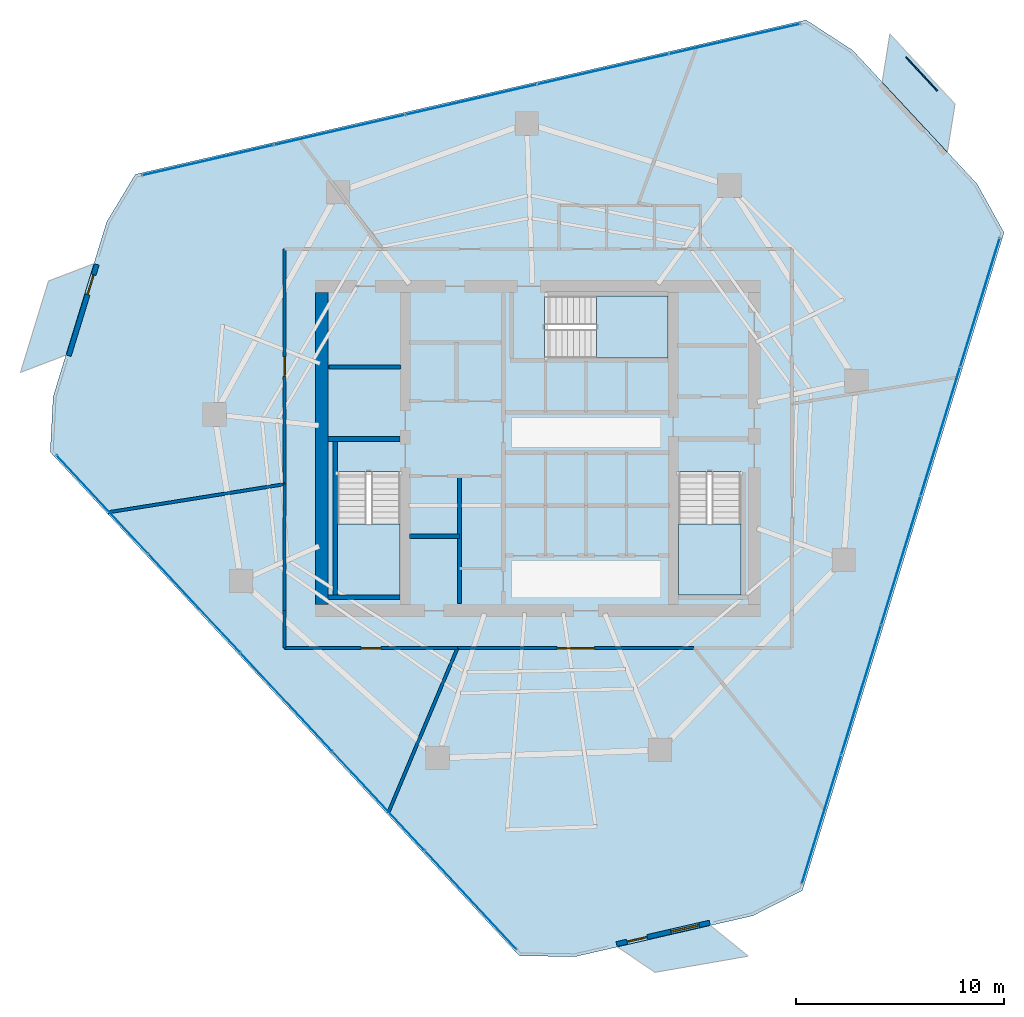
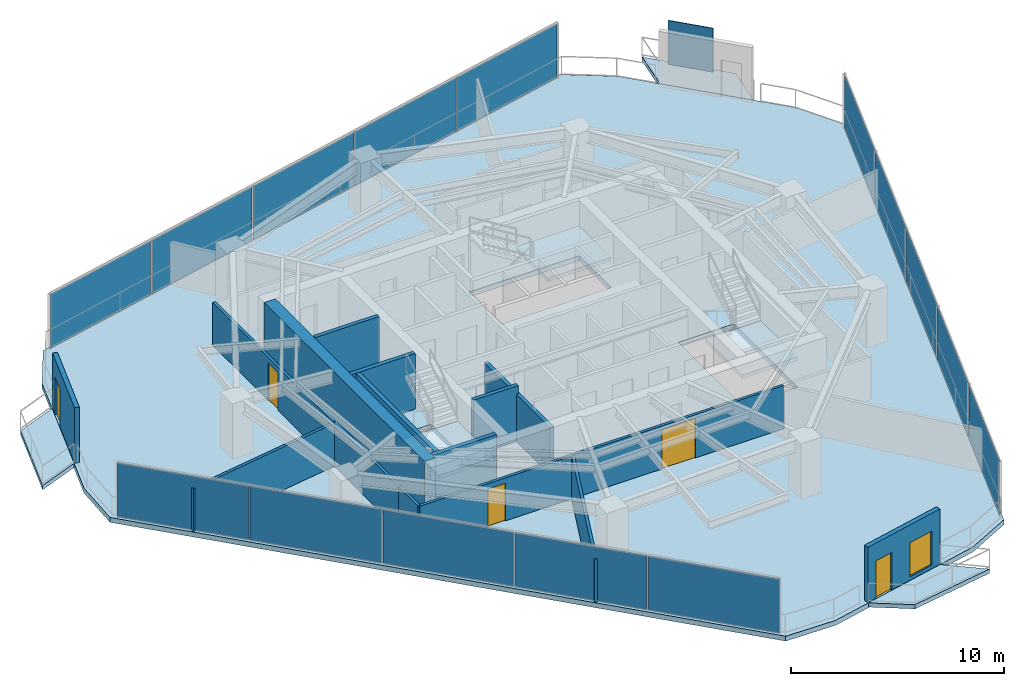
# One storey, part 18 of 23: 16 plates, 16 walls, 7 slabs, 5 doors, 1 window, 6 openings, 6 elements without a shape of their own.
"""IFC4 building model written with IfcOpenShell, lengths in metres."""

from ifc_helpers import new_model, si_unit, direction, frame, frame_2d, origin, origin_2d, place, context, subcontext, project, spatial, polyline, rectangle, outline, extrude, material, layer, layer_set, type_object, element, fill, aggregate, save


model = new_model("IFC4")

# Units and contexts
model_context = context("Model", 3, precision=1e-05, world=origin(), true_north=direction((0.0, 1.0)))
body_context = subcontext(model_context, "Body", "Model", "MODEL_VIEW")
ifc_project = project(units=[si_unit("LENGTHUNIT", "METRE"), si_unit("AREAUNIT", "SQUARE_METRE"), si_unit("VOLUMEUNIT", "CUBIC_METRE"), si_unit("PLANEANGLEUNIT", "RADIAN"), si_unit("MASSUNIT", "GRAM", prefix="KILO")], contexts=[model_context])

# Site, building, storey
site_placement = place(None, origin())
site = spatial("IfcSite", under=ifc_project, at=site_placement, CompositionType="ELEMENT")
building_placement = place(site_placement, origin())
building = spatial("IfcBuilding", under=site, at=building_placement, Name="Qarnah Convention Tower", CompositionType="ELEMENT")
storey_placement = place(building_placement, frame((0.0, 0.0, 114.300048828125)))
storey = spatial("IfcBuildingStorey", under=building, at=storey_placement, Name="L30", CompositionType="ELEMENT", Elevation=114.300048828125)

# Curtain wall, plates
ifc_material_1 = material(Name="Tempered Low-E dark glass", Category="glass")
ifc_layer_1 = layer(ifc_material_1, 0.169921875)
ifc_layer_set_1 = layer_set([ifc_layer_1], Name="Tempered Low-E dark glass")
curtain_wall_type = type_object("IfcCurtainWallType", Name="CWS-02", PredefinedType="NOTDEFINED", material=ifc_layer_set_1)
curtain_wall_1_placement = place(storey_placement, origin())
curtain_wall_1 = element("IfcCurtainWall", 1, at=curtain_wall_1_placement, inside=storey, type_object=curtain_wall_type, Name="L30 unitised curtain wall CW-L30-F1", PredefinedType="NOTDEFINED")
ifc_layer_2 = layer(ifc_material_1, 0.030029296875)
ifc_layer_set_2 = layer_set([ifc_layer_2], Name="Tempered Low-E dark glass")
plate_type_1 = type_object("IfcPlateType", Name="PNL-T2", PredefinedType="CURTAIN_PANEL", material=ifc_layer_set_2)
plate_1_placement = place(storey_placement, frame((33.95849609375, 4.67822265625, 0.0400390625), z_axis=(0.0, 0.0, 1.0), x_axis=(-0.68148272069, 0.731834203492, 0.0)))
plate_1 = element("IfcPlate", 2, at=plate_1_placement, type_object=plate_type_1, Name="CW-L30-F1 curtain panel 1.1", PredefinedType="CURTAIN_PANEL", context=body_context, shape_type="SweptSolid", body=[
    extrude(rectangle(XDim=6.42236328125, YDim=0.030029296875, at=origin_2d()), origin(), (0.0, 0.0, 1.0), 3.090087890625),
])
plate_2_placement = place(storey_placement, frame((29.527099609375, 9.43701171875, 0.0400390625), z_axis=(0.0, 0.0, 1.0), x_axis=(-0.68148272069, 0.731834203492, 0.0)))
plate_2 = element("IfcPlate", 3, at=plate_2_placement, type_object=plate_type_1, Name="CW-L30-F1 curtain panel 2.1", PredefinedType="CURTAIN_PANEL", context=body_context, shape_type="SweptSolid", body=[
    extrude(rectangle(XDim=6.42236328125, YDim=0.030029296875, at=origin_2d()), origin(), (0.0, 0.0, 1.0), 3.090087890625),
])
plate_3_placement = place(storey_placement, frame((25.095947265625, 14.195556640625, 0.0400390625), z_axis=(0.0, 0.0, 1.0), x_axis=(-0.68148272069, 0.731834203492, 0.0)))
plate_3 = element("IfcPlate", 4, at=plate_3_placement, type_object=plate_type_1, Name="CW-L30-F1 curtain panel 3.1", PredefinedType="CURTAIN_PANEL", context=body_context, shape_type="SweptSolid", body=[
    extrude(rectangle(XDim=6.42236328125, YDim=0.030029296875, at=origin_2d()), origin(), (0.0, 0.0, 1.0), 3.090087890625),
])
plate_4_placement = place(storey_placement, frame((20.664794921875, 18.9541015625, 0.0400390625), z_axis=(0.0, 0.0, 1.0), x_axis=(-0.68148272069, 0.731834203492, 0.0)))
plate_4 = element("IfcPlate", 5, at=plate_4_placement, type_object=plate_type_1, Name="CW-L30-F1 curtain panel 4.1", PredefinedType="CURTAIN_PANEL", context=body_context, shape_type="SweptSolid", body=[
    extrude(rectangle(XDim=6.42236328125, YDim=0.030029296875, at=origin_2d()), origin(), (0.0, 0.0, 1.0), 3.090087890625),
])
plate_5_placement = place(storey_placement, frame((16.233642578125, 23.712646484375, 0.0400390625), z_axis=(0.0, 0.0, 1.0), x_axis=(-0.68148272069, 0.731834203492, 0.0)))
plate_5 = element("IfcPlate", 6, at=plate_5_placement, type_object=plate_type_1, Name="CW-L30-F1 curtain panel 5.1", PredefinedType="CURTAIN_PANEL", context=body_context, shape_type="SweptSolid", body=[
    extrude(rectangle(XDim=6.42236328125, YDim=0.030029296875, at=origin_2d()), origin(), (0.0, 0.0, 1.0), 3.090087890625),
])
aggregate(curtain_wall_1, [plate_1, plate_2, plate_3, plate_4, plate_5])

curtain_wall_2_placement = place(storey_placement, origin())
curtain_wall_2 = element("IfcCurtainWall", 7, at=curtain_wall_2_placement, inside=storey, type_object=curtain_wall_type, Name="L30 unitised curtain wall CW-L30-F2", PredefinedType="NOTDEFINED")
plate_6_placement = place(storey_placement, frame((58.458251953125, 33.4296875, 0.0400390625), z_axis=(0.0, 0.0, 1.0), x_axis=(-0.293046001666, -0.956098342697, 0.0)))
plate_6 = element("IfcPlate", 8, at=plate_6_placement, type_object=plate_type_1, Name="CW-L30-F2 curtain panel 1.1", PredefinedType="CURTAIN_PANEL", context=body_context, shape_type="SweptSolid", body=[
    extrude(rectangle(XDim=6.422119140625, YDim=0.030029296875, at=origin_2d()), origin(), (0.0, 0.0, 1.0), 3.090087890625),
])
plate_7_placement = place(storey_placement, frame((56.552978515625, 27.213134765625, 0.0400390625), z_axis=(0.0, 0.0, 1.0), x_axis=(-0.293046001666, -0.956098342697, 0.0)))
plate_7 = element("IfcPlate", 9, at=plate_7_placement, type_object=plate_type_1, Name="CW-L30-F2 curtain panel 2.1", PredefinedType="CURTAIN_PANEL", context=body_context, shape_type="SweptSolid", body=[
    extrude(rectangle(XDim=6.422119140625, YDim=0.030029296875, at=origin_2d()), origin(), (0.0, 0.0, 1.0), 3.090087890625),
])
plate_8_placement = place(storey_placement, frame((54.6474609375, 20.99658203125, 0.0400390625), z_axis=(0.0, 0.0, 1.0), x_axis=(-0.293046001666, -0.956098342697, 0.0)))
plate_8 = element("IfcPlate", 10, at=plate_8_placement, type_object=plate_type_1, Name="CW-L30-F2 curtain panel 3.1", PredefinedType="CURTAIN_PANEL", context=body_context, shape_type="SweptSolid", body=[
    extrude(rectangle(XDim=6.422119140625, YDim=0.030029296875, at=origin_2d()), origin(), (0.0, 0.0, 1.0), 3.090087890625),
])
plate_9_placement = place(storey_placement, frame((52.7421875, 14.77978515625, 0.0400390625), z_axis=(0.0, 0.0, 1.0), x_axis=(-0.293046001666, -0.956098342697, 0.0)))
plate_9 = element("IfcPlate", 11, at=plate_9_placement, type_object=plate_type_1, Name="CW-L30-F2 curtain panel 4.1", PredefinedType="CURTAIN_PANEL", context=body_context, shape_type="SweptSolid", body=[
    extrude(rectangle(XDim=6.422119140625, YDim=0.030029296875, at=origin_2d()), origin(), (0.0, 0.0, 1.0), 3.090087890625),
])
plate_10_placement = place(storey_placement, frame((50.836669921875, 8.563232421875, 0.0400390625), z_axis=(0.0, 0.0, 1.0), x_axis=(-0.293046001666, -0.956098342697, 0.0)))
plate_10 = element("IfcPlate", 12, at=plate_10_placement, type_object=plate_type_1, Name="CW-L30-F2 curtain panel 5.1", PredefinedType="CURTAIN_PANEL", context=body_context, shape_type="SweptSolid", body=[
    extrude(rectangle(XDim=6.422119140625, YDim=0.030029296875, at=origin_2d()), origin(), (0.0, 0.0, 1.0), 3.090087890625),
])
aggregate(curtain_wall_2, [plate_6, plate_7, plate_8, plate_9, plate_10])

curtain_wall_3_placement = place(storey_placement, origin())
curtain_wall_3 = element("IfcCurtainWall", 13, at=curtain_wall_3_placement, inside=storey, type_object=curtain_wall_type, Name="L30 unitised curtain wall CW-L30-F3", PredefinedType="NOTDEFINED")
plate_11_placement = place(storey_placement, frame((21.309326171875, 40.271240234375, 0.0400390625), z_axis=(0.0, 0.0, 1.0), x_axis=(0.974522187201, 0.224291120317, 0.0)))
plate_11 = element("IfcPlate", 14, at=plate_11_placement, type_object=plate_type_1, Name="CW-L30-F3 curtain panel 1.1", PredefinedType="CURTAIN_PANEL", context=body_context, shape_type="SweptSolid", body=[
    extrude(rectangle(XDim=6.42236328125, YDim=0.030029296875, at=origin_2d()), origin(), (0.0, 0.0, 1.0), 3.090087890625),
])
plate_12_placement = place(storey_placement, frame((27.64599609375, 41.7294921875, 0.0400390625), z_axis=(0.0, 0.0, 1.0), x_axis=(0.974522187201, 0.224291120317, 0.0)))
plate_12 = element("IfcPlate", 15, at=plate_12_placement, type_object=plate_type_1, Name="CW-L30-F3 curtain panel 2.1", PredefinedType="CURTAIN_PANEL", context=body_context, shape_type="SweptSolid", body=[
    extrude(rectangle(XDim=6.42236328125, YDim=0.030029296875, at=origin_2d()), origin(), (0.0, 0.0, 1.0), 3.090087890625),
])
plate_13_placement = place(storey_placement, frame((33.982421875, 43.18798828125, 0.0400390625), z_axis=(0.0, 0.0, 1.0), x_axis=(0.974522187201, 0.224291120317, 0.0)))
plate_13 = element("IfcPlate", 16, at=plate_13_placement, type_object=plate_type_1, Name="CW-L30-F3 curtain panel 3.1", PredefinedType="CURTAIN_PANEL", context=body_context, shape_type="SweptSolid", body=[
    extrude(rectangle(XDim=6.42236328125, YDim=0.030029296875, at=origin_2d()), origin(), (0.0, 0.0, 1.0), 3.090087890625),
])
plate_14_placement = place(storey_placement, frame((40.319091796875, 44.646484375, 0.0400390625), z_axis=(0.0, 0.0, 1.0), x_axis=(0.974522187201, 0.224291120317, 0.0)))
plate_14 = element("IfcPlate", 17, at=plate_14_placement, type_object=plate_type_1, Name="CW-L30-F3 curtain panel 4.1", PredefinedType="CURTAIN_PANEL", context=body_context, shape_type="SweptSolid", body=[
    extrude(rectangle(XDim=6.42236328125, YDim=0.030029296875, at=origin_2d()), origin(), (0.0, 0.0, 1.0), 3.090087890625),
])
plate_15_placement = place(storey_placement, frame((46.65576171875, 46.104736328125, 0.0400390625), z_axis=(0.0, 0.0, 1.0), x_axis=(0.974522187201, 0.224291120317, 0.0)))
plate_15 = element("IfcPlate", 18, at=plate_15_placement, type_object=plate_type_1, Name="CW-L30-F3 curtain panel 5.1", PredefinedType="CURTAIN_PANEL", context=body_context, shape_type="SweptSolid", body=[
    extrude(rectangle(XDim=6.42236328125, YDim=0.030029296875, at=origin_2d()), origin(), (0.0, 0.0, 1.0), 3.090087890625),
])
aggregate(curtain_wall_3, [plate_11, plate_12, plate_13, plate_14, plate_15])

# Plate
ifc_material_2 = material(Name="Black anodised aluminium", Category="aluminium")
ifc_layer_3 = layer(ifc_material_2, 0.044921875)
ifc_layer_set_3 = layer_set([ifc_layer_3], Name="Black anodised aluminium")
plate_type_2 = type_object("IfcPlateType", Name="SCR-BAL-18", PredefinedType="USERDEFINED", material=ifc_layer_set_3)
plate_16_placement = place(storey_placement, frame((55.652099609375, 44.422119140625, 0.0), z_axis=(0.0, 0.0, 1.0), x_axis=(0.681442906501, -0.731871276373, 0.0)))
element("IfcPlate", 19, at=plate_16_placement, inside=storey, type_object=plate_type_2, Name="L30 perforated desert solar screen BAL-L30-C1", ObjectType="SCREEN", PredefinedType="USERDEFINED", context=body_context, shape_type="SweptSolid", body=[
    extrude(rectangle(XDim=2.199951171875, YDim=0.044921875, at=origin_2d()), origin(), (0.0, 0.0, 1.0), 2.5),
])

# Slabs
ifc_material_3 = material(Name="Concrete C45/55", Category="concrete")
ifc_layer_4 = layer(ifc_material_3, 0.239990234375)
ifc_layer_set_4 = layer_set([ifc_layer_4], Name="Concrete C45/55")
slab_type_1 = type_object("IfcSlabType", Name="SLB-BAL-240", PredefinedType="USERDEFINED", material=ifc_layer_set_4)
slab_1_placement = place(storey_placement, frame((0.0, 0.0, -0.239990234375)))
element("IfcSlab", 20, at=slab_1_placement, inside=storey, type_object=slab_type_1, Name="L30 cantilevered balcony slab BAL-L30-C1", ObjectType="BALCONY", PredefinedType="USERDEFINED", context=body_context, shape_type="SweptSolid", body=[
    extrude(outline(polyline([(54.1220703125, 46.343017578125), (57.257080078125, 42.97607421875), (56.887939453125, 40.658935546875), (53.7529296875, 44.02587890625), (54.1220703125, 46.343017578125)])), origin(), (0.0, 0.0, 1.0), 0.239990234375),
])
slab_2_placement = place(storey_placement, frame((0.0, 0.0, -0.239990234375)))
element("IfcSlab", 21, at=slab_2_placement, inside=storey, type_object=slab_type_1, Name="L30 cantilevered balcony slab BAL-L30-C2", ObjectType="BALCONY", PredefinedType="USERDEFINED", context=body_context, shape_type="SweptSolid", body=[
    extrude(outline(polyline([(12.294921875, 30.06005859375), (13.64306640625, 34.4580078125), (15.833984375, 35.298095703125), (14.486083984375, 30.89990234375), (12.294921875, 30.06005859375)])), origin(), (0.0, 0.0, 1.0), 0.239990234375),
])
slab_3_placement = place(storey_placement, frame((0.0, 0.0, -0.239990234375)))
element("IfcSlab", 22, at=slab_3_placement, inside=storey, type_object=slab_type_1, Name="L30 cantilevered balcony slab BAL-L30-C3", ObjectType="BALCONY", PredefinedType="USERDEFINED", context=body_context, shape_type="SweptSolid", body=[
    extrude(outline(polyline([(47.31005859375, 1.97802734375), (42.826904296875, 1.199951171875), (41.00390625, 2.424072265625), (45.487060546875, 3.4560546875), (47.31005859375, 1.97802734375)])), origin(), (0.0, 0.0, 1.0), 0.239990234375),
])

# Stair, slab
ifc_material_4 = material(Name="Concrete C50/60", Category="concrete")
stair_type = type_object("IfcStairType", Name="STR-HTL", PredefinedType="HALF_TURN_STAIR", material=ifc_material_4)
stair_1_placement = place(storey_placement, origin())
stair_1 = element("IfcStair", 23, at=stair_1_placement, inside=storey, type_object=stair_type, Name="L30 Core exit stair ST-1", PredefinedType="HALF_TURN_STAIR")
ifc_layer_5 = layer(ifc_material_4, 0.199951171875)
ifc_layer_set_5 = layer_set([ifc_layer_5], Name="Concrete C50/60")
slab_type_2 = type_object("IfcSlabType", Name="SLB-LANDING-200", PredefinedType="LANDING", material=ifc_layer_set_5)
slab_4_placement = place(storey_placement, frame((0.0, 0.0, 1.52490234375)))
slab_4 = element("IfcSlab", 24, at=slab_4_placement, type_object=slab_type_2, Name="ST-1 landing 1", PredefinedType="LANDING", context=body_context, shape_type="SweptSolid", body=[
    extrude(outline(polyline([(27.550048828125, 22.780029296875), (27.550048828125, 19.35009765625), (30.550048828125, 19.35009765625), (30.550048828125, 22.780029296875), (27.550048828125, 22.780029296875)])), origin(), (0.0, 0.0, 1.0), 0.199951171875),
])
aggregate(stair_1, [slab_4])

stair_2_placement = place(storey_placement, origin())
stair_2 = element("IfcStair", 25, at=stair_2_placement, inside=storey, type_object=stair_type, Name="L30 Core exit stair ST-2", PredefinedType="HALF_TURN_STAIR")
slab_5_placement = place(storey_placement, frame((0.0, 0.0, 1.52490234375)))
slab_5 = element("IfcSlab", 26, at=slab_5_placement, type_object=slab_type_2, Name="ST-2 landing 1", PredefinedType="LANDING", context=body_context, shape_type="SweptSolid", body=[
    extrude(outline(polyline([(43.949951171875, 22.780029296875), (43.949951171875, 19.35009765625), (46.949951171875, 19.35009765625), (46.949951171875, 22.780029296875), (43.949951171875, 22.780029296875)])), origin(), (0.0, 0.0, 1.0), 0.199951171875),
])
aggregate(stair_2, [slab_5])

stair_3_placement = place(storey_placement, origin())
stair_3 = element("IfcStair", 27, at=stair_3_placement, inside=storey, type_object=stair_type, Name="L30 Core exit stair ST-3", PredefinedType="HALF_TURN_STAIR")
slab_6_placement = place(storey_placement, frame((0.0, 0.0, 1.52490234375)))
slab_6 = element("IfcSlab", 28, at=slab_6_placement, type_object=slab_type_2, Name="ST-3 landing 1", PredefinedType="LANDING", context=body_context, shape_type="SweptSolid", body=[
    extrude(outline(polyline([(40.02001953125, 30.75), (43.449951171875, 30.75), (43.449951171875, 33.75), (40.02001953125, 33.75), (40.02001953125, 30.75)])), origin(), (0.0, 0.0, 1.0), 0.199951171875),
])
aggregate(stair_3, [slab_6])

# Slab
ifc_layer_6 = layer(ifc_material_3, 0.280029296875)
ifc_layer_set_6 = layer_set([ifc_layer_6], Name="Concrete C45/55")
slab_type_3 = type_object("IfcSlabType", Name="SLB-TWR-280", PredefinedType="FLOOR", material=ifc_layer_set_6)
slab_7_placement = place(storey_placement, frame((0.0, 0.0, -0.280029296875)))
element("IfcSlab", 29, at=slab_7_placement, inside=storey, type_object=slab_type_3, Name="L30 structural floor slab", PredefinedType="FLOOR", context=body_context, shape_type="SweptSolid", body=[
    extrude(outline(polyline([(50.089111328125, 47.01806640625), (17.822021484375, 39.592041015625), (16.445068359375, 37.304931640625), (13.867919921875, 28.89599609375), (13.72607421875, 26.22998046875), (36.291015625, 1.998046875), (38.9609375, 1.949951171875), (47.531005859375, 3.922119140625), (49.910888671875, 5.133056640625), (59.614013671875, 36.7900390625), (58.321044921875, 39.1259765625), (52.327880859375, 45.56298828125), (50.089111328125, 47.01806640625)]), holes=[polyline([(27.550048828125, 25.300048828125), (27.550048828125, 19.35009765625), (30.550048828125, 19.35009765625), (30.550048828125, 25.300048828125), (27.550048828125, 25.300048828125)]), polyline([(43.949951171875, 25.300048828125), (43.949951171875, 19.35009765625), (46.949951171875, 19.35009765625), (46.949951171875, 25.300048828125), (43.949951171875, 25.300048828125)]), polyline([(37.5, 30.75), (43.449951171875, 30.75), (43.449951171875, 33.75), (37.5, 33.75), (37.5, 30.75)])]), origin(), (0.0, 0.0, 1.0), 0.280029296875),
])

# Walls
ifc_material_5 = material(Name="Concrete C60/75", Category="concrete")
ifc_layer_7 = layer(ifc_material_5, 0.60009765625)
ifc_layer_set_7 = layer_set([ifc_layer_7], Name="Concrete C60/75")
wall_type_1 = type_object("IfcWallType", Name="WL-CORE-600", PredefinedType="SHEAR", material=ifc_layer_set_7)
wall_1_placement = place(storey_placement, frame((26.800048828125, 18.89990234375, 0.0), z_axis=(0.0, 0.0, 1.0), x_axis=(0.0, 1.0, 0.0)))
element("IfcWall", 30, at=wall_1_placement, inside=storey, type_object=wall_type_1, Name="L30 core west shear wall", PredefinedType="SHEAR", context=body_context, shape_type="SweptSolid", body=[
    extrude(rectangle(XDim=15.0, YDim=0.60009765625, at=frame_2d((7.5, 0.0))), origin(), (0.0, 0.0, 1.0), 3.169921875),
])
ifc_layer_8 = layer(ifc_material_3, 0.199951171875)
ifc_layer_set_8 = layer_set([ifc_layer_8], Name="Concrete C45/55")
wall_type_2 = type_object("IfcWallType", Name="WL-CORE-PART-200", PredefinedType="SOLIDWALL", material=ifc_layer_set_8)
wall_2_placement = place(storey_placement, frame((27.14990234375, 30.320068359375, 0.0), z_axis=(0.0, 0.0, 1.0), x_axis=(1.0, 0.0, 0.0)))
element("IfcWall", 31, at=wall_2_placement, inside=storey, type_object=wall_type_2, Name="L30 interior wall IW-L30-ELRN", PredefinedType="SOLIDWALL", context=body_context, shape_type="SweptSolid", body=[
    extrude(rectangle(XDim=3.4501953125, YDim=0.199951171875, at=frame_2d((1.72509765625, 0.0))), origin(), (0.0, 0.0, 1.0), 3.169921875),
])
wall_3_placement = place(storey_placement, frame((33.419921875, 18.949951171875, 0.0), z_axis=(0.0, 0.0, 1.0), x_axis=(0.0, 1.0, 0.0)))
element("IfcWall", 32, at=wall_3_placement, inside=storey, type_object=wall_type_2, Name="L30 interior wall IW-L30-SVLE", PredefinedType="SOLIDWALL", context=body_context, shape_type="SweptSolid", body=[
    extrude(rectangle(XDim=6.130126953125, YDim=0.199951171875, at=frame_2d((3.06494140625, 0.0))), origin(), (0.0, 0.0, 1.0), 2.69091796875),
])
wall_4_placement = place(storey_placement, frame((31.0, 22.179931640625, 0.0), z_axis=(0.0, 0.0, 1.0), x_axis=(1.0, 0.0, 0.0)))
element("IfcWall", 33, at=wall_4_placement, inside=storey, type_object=wall_type_2, Name="L30 interior wall IW-L30-SVLS", PredefinedType="SOLIDWALL", context=body_context, shape_type="SweptSolid", body=[
    extrude(rectangle(XDim=2.419921875, YDim=0.199951171875, at=frame_2d((1.2099609375, 0.0))), origin(), (0.0, 0.0, 1.0), 3.169921875),
])
ifc_layer_9 = layer(ifc_material_5, 0.219970703125)
ifc_layer_set_9 = layer_set([ifc_layer_9], Name="Concrete C60/75")
wall_type_3 = type_object("IfcWallType", Name="WL-CORE-STAIR-220", PredefinedType="SHEAR", material=ifc_layer_set_9)
wall_5_placement = place(storey_placement, frame((27.10009765625, 26.860107421875, 0.0), z_axis=(0.0, 0.0, 1.0), x_axis=(1.0, 0.0, 0.0)))
element("IfcWall", 34, at=wall_5_placement, inside=storey, type_object=wall_type_3, Name="L30 stair shaft shear wall SW-L30-ST1N", PredefinedType="SHEAR", context=body_context, shape_type="SweptSolid", body=[
    extrude(rectangle(XDim=3.449951171875, YDim=0.219970703125, at=frame_2d((1.72509765625, 0.0))), origin(), (0.0, 0.0, 1.0), 3.169921875),
])
wall_6_placement = place(storey_placement, frame((27.43994140625, 19.35009765625, 0.0), z_axis=(0.0, 0.0, 1.0), x_axis=(0.0, 1.0, 0.0)))
element("IfcWall", 35, at=wall_6_placement, inside=storey, type_object=wall_type_3, Name="L30 stair shaft shear wall SW-L30-ST1W", PredefinedType="SHEAR", context=body_context, shape_type="SweptSolid", body=[
    extrude(rectangle(XDim=7.39990234375, YDim=0.219970703125, at=frame_2d((3.699951171875, 0.0))), origin(), (0.0, 0.0, 1.0), 3.169921875),
])
wall_7_placement = place(storey_placement, frame((27.10009765625, 19.239990234375, 0.0), z_axis=(0.0, 0.0, 1.0), x_axis=(1.0, 0.0, 0.0)))
element("IfcWall", 36, at=wall_7_placement, inside=storey, type_object=wall_type_3, Name="L30 stair shaft shear wall SW-L30-ST1S", PredefinedType="SHEAR", context=body_context, shape_type="SweptSolid", body=[
    extrude(rectangle(XDim=3.449951171875, YDim=0.219970703125, at=frame_2d((1.72509765625, 0.0))), origin(), (0.0, 0.0, 1.0), 3.169921875),
])

# Wall, opening, door
ifc_material_6 = material(Name="Precast concrete C45/55", Category="concrete")
ifc_layer_10 = layer(ifc_material_6, 0.239990234375)
ifc_layer_set_10 = layer_set([ifc_layer_10], Name="Precast concrete C45/55")
wall_type_4 = type_object("IfcWallType", Name="WL-EXT-BAL-240", PredefinedType="SOLIDWALL", material=ifc_layer_set_10)
wall_8_placement = place(storey_placement, frame((14.616943359375, 30.860107421875, 0.0), z_axis=(0.0, 0.0, 1.0), x_axis=(0.293078700058, 0.956088319964, 0.0)))
wall_8 = element("IfcWall", 37, at=wall_8_placement, inside=storey, type_object=wall_type_4, Name="L30 loggia threshold wall BAL-L30-C2", PredefinedType="SOLIDWALL", context=body_context, shape_type="SweptSolid", body=[
    extrude(rectangle(XDim=4.599853515625, YDim=0.239990234375, at=frame_2d((2.2998046875, 0.0))), origin(), (0.0, 0.0, 1.0), 3.169921875),
])
opening_1_placement = place(wall_8_placement, frame((3.080078125, 0.0, 0.0)))
opening_1 = element("IfcOpeningElement", 38, at=opening_1_placement, cuts=wall_8, Name="Opening BD-3002", PredefinedType="OPENING", context=body_context, shape_type="SweptSolid", body=[
    extrude(rectangle(XDim=1.0, YDim=2.14990234375, at=frame_2d((0.5, 1.074951171875))), frame((0.0, 0.1298828125, 0.0), z_axis=(0.0, -1.0, 0.0), x_axis=(1.0, 0.0, 0.0)), (0.0, 0.0, 1.0), 0.260009765625),
])
door_type_1 = type_object("IfcDoorType", Name="DT-BAL-1000", OperationType="NOTDEFINED", PredefinedType="DOOR", material=ifc_material_2)
door_1_placement = place(opening_1_placement, origin())
door_1 = element("IfcDoor", 39, at=door_1_placement, inside=storey, type_object=door_type_1, Name="L30 balcony terrace door BAL-L30-C2", OperationType="SINGLE_SWING_RIGHT", OverallHeight=2.14990234375, OverallWidth=1.0, PredefinedType="DOOR", context=body_context, shape_type="SweptSolid", body=[
    extrude(rectangle(XDim=1.0, YDim=2.14990234375, at=frame_2d((0.5, 1.074951171875))), frame((0.0, 0.02490234375, 0.0), z_axis=(0.0, -1.0, 0.0), x_axis=(1.0, 0.0, 0.0)), (0.0, 0.0, 1.0), 0.050048828125),
])
fill(opening_1, door_1)

# Wall, openings, door, window
wall_9_placement = place(storey_placement, frame((45.4560546875, 3.587890625, 0.0), z_axis=(0.0, 0.0, 1.0), x_axis=(-0.974560867005, -0.224122994138, 0.0)))
wall_9 = element("IfcWall", 40, at=wall_9_placement, inside=storey, type_object=wall_type_4, Name="L30 loggia threshold wall BAL-L30-C3", PredefinedType="SOLIDWALL", context=body_context, shape_type="SweptSolid", body=[
    extrude(rectangle(XDim=4.60009765625, YDim=0.239990234375, at=frame_2d((2.300048828125, 0.0))), origin(), (0.0, 0.0, 1.0), 3.169921875),
])
opening_2_placement = place(wall_9_placement, frame((3.080078125, 0.0, 0.0)))
opening_2 = element("IfcOpeningElement", 41, at=opening_2_placement, cuts=wall_9, Name="Opening BD-3003", PredefinedType="OPENING", context=body_context, shape_type="SweptSolid", body=[
    extrude(rectangle(XDim=1.0, YDim=2.14990234375, at=frame_2d((0.5, 1.074951171875))), frame((0.0, 0.1298828125, 0.0), z_axis=(0.0, -1.0, 0.0), x_axis=(1.0, 0.0, 0.0)), (0.0, 0.0, 1.0), 0.260009765625),
])
opening_3_placement = place(wall_9_placement, frame((0.52001953125, 0.0, 0.199951171875)))
opening_3 = element("IfcOpeningElement", 42, at=opening_3_placement, cuts=wall_9, Name="Opening WN4", PredefinedType="OPENING", context=body_context, shape_type="SweptSolid", body=[
    extrude(rectangle(XDim=1.39990234375, YDim=1.949951171875, at=frame_2d((0.699951171875, 0.97509765625))), frame((0.0, 0.1298828125, 0.0), z_axis=(0.0, -1.0, 0.0), x_axis=(1.0, 0.0, 0.0)), (0.0, 0.0, 1.0), 0.260009765625),
])
door_2_placement = place(opening_2_placement, origin())
door_2 = element("IfcDoor", 43, at=door_2_placement, inside=storey, type_object=door_type_1, Name="L30 balcony terrace door BAL-L30-C3", OperationType="SINGLE_SWING_LEFT", OverallHeight=2.14990234375, OverallWidth=1.0, PredefinedType="DOOR", context=body_context, shape_type="SweptSolid", body=[
    extrude(rectangle(XDim=1.0, YDim=2.14990234375, at=frame_2d((0.5, 1.074951171875))), frame((0.0, 0.02490234375, 0.0), z_axis=(0.0, -1.0, 0.0), x_axis=(1.0, 0.0, 0.0)), (0.0, 0.0, 1.0), 0.050048828125),
])
fill(opening_2, door_2)
window_type = type_object("IfcWindowType", Name="WT-BAL-1400X2000", PartitioningType="SINGLE_PANEL", PredefinedType="WINDOW", material=ifc_material_1)
window_placement = place(opening_3_placement, origin())
window = element("IfcWindow", 44, at=window_placement, inside=storey, type_object=window_type, Name="Window BW-BAL-L30-C3", OverallHeight=1.949951171875, OverallWidth=1.39990234375, PartitioningType="SINGLE_PANEL", PredefinedType="WINDOW", context=body_context, shape_type="SweptSolid", body=[
    extrude(rectangle(XDim=1.39990234375, YDim=1.949951171875, at=frame_2d((0.699951171875, 0.97509765625))), frame((0.0, 0.030029296875, 0.0), z_axis=(0.0, -1.0, 0.0), x_axis=(1.0, 0.0, 0.0)), (0.0, 0.0, 1.0), 0.06005859375),
])
fill(opening_3, window)

# Wall
ifc_material_7 = material(Name="Gypsum partition board")
ifc_layer_11 = layer(ifc_material_7, 0.14990234375)
ifc_layer_set_11 = layer_set([ifc_layer_11], Name="Gypsum partition board")
wall_type_5 = type_object("IfcWallType", Name="WL-SUITE-150", PredefinedType="PARTITIONING", material=ifc_layer_set_11)
wall_10_placement = place(storey_placement, frame((16.514892578125, 23.33203125, 0.0), z_axis=(0.0, 0.0, 1.0), x_axis=(0.987523830063, 0.157469632174, 0.0)))
element("IfcWall", 45, at=wall_10_placement, inside=storey, type_object=wall_type_5, Name="L30 interior wall IW-L30-R-19", PredefinedType="PARTITIONING", context=body_context, shape_type="SweptSolid", body=[
    extrude(rectangle(XDim=8.59228515625, YDim=0.14990234375, at=frame_2d((4.296142578125, 0.0))), origin(), (0.0, 0.0, 1.0), 2.454833984375),
])

# Wall, opening, door
wall_11_placement = place(storey_placement, frame((25.0, 24.68505859375, 0.0), z_axis=(0.0, 0.0, 1.0), x_axis=(0.0, 1.0, 0.0)))
wall_11 = element("IfcWall", 46, at=wall_11_placement, inside=storey, type_object=wall_type_5, Name="L30 interior wall IW-L30-R-20", PredefinedType="PARTITIONING", context=body_context, shape_type="SweptSolid", body=[
    extrude(rectangle(XDim=11.31494140625, YDim=0.14990234375, at=frame_2d((5.657470703125, 0.0))), origin(), (0.0, 0.0, 1.0), 2.454833984375),
])
opening_4_placement = place(wall_11_placement, frame((5.18310546875, 0.0, 0.0)))
opening_4 = element("IfcOpeningElement", 47, at=opening_4_placement, cuts=wall_11, Name="Opening D-3021", PredefinedType="OPENING", context=body_context, shape_type="SweptSolid", body=[
    extrude(rectangle(XDim=0.949951171875, YDim=2.14990234375, at=frame_2d((0.47509765625, 1.074951171875))), frame((0.0, 0.0849609375, 0.0), z_axis=(0.0, -1.0, 0.0), x_axis=(1.0, 0.0, 0.0)), (0.0, 0.0, 1.0), 0.169921875),
])
ifc_material_8 = material(Name="Oak timber veneer", Category="wood")
door_type_2 = type_object("IfcDoorType", Name="DT-HOTEL-950", OperationType="NOTDEFINED", PredefinedType="DOOR", material=ifc_material_8)
door_3_placement = place(opening_4_placement, origin())
door_3 = element("IfcDoor", 48, at=door_3_placement, inside=storey, type_object=door_type_2, Name="Door D-3021", OperationType="SINGLE_SWING_RIGHT", OverallHeight=2.14990234375, OverallWidth=0.949951171875, PredefinedType="DOOR", context=body_context, shape_type="SweptSolid", body=[
    extrude(rectangle(XDim=0.949951171875, YDim=2.14990234375, at=frame_2d((0.47509765625, 1.074951171875))), frame((0.0, 0.02490234375, 0.0), z_axis=(0.0, -1.0, 0.0), x_axis=(1.0, 0.0, 0.0)), (0.0, 0.0, 1.0), 0.050048828125),
])
fill(opening_4, door_3)

# Wall
wall_12_placement = place(storey_placement, frame((29.989990234375, 8.87109375, 0.0), z_axis=(0.0, 0.0, 1.0), x_axis=(0.38732080179, 0.921945007309, 0.0)))
element("IfcWall", 49, at=wall_12_placement, inside=storey, type_object=wall_type_5, Name="L30 interior wall IW-L30-R-23", PredefinedType="PARTITIONING", context=body_context, shape_type="SweptSolid", body=[
    extrude(rectangle(XDim=8.600341796875, YDim=0.14990234375, at=frame_2d((4.30029296875, 0.0))), origin(), (0.0, 0.0, 1.0), 2.454833984375),
])

# Wall, opening, door
wall_13_placement = place(storey_placement, frame((33.321044921875, 16.800048828125, 0.0), z_axis=(0.0, 0.0, 1.0), x_axis=(-1.0, 0.0, 0.0)))
wall_13 = element("IfcWall", 50, at=wall_13_placement, inside=storey, type_object=wall_type_5, Name="L30 interior wall IW-L30-R-24", PredefinedType="PARTITIONING", context=body_context, shape_type="SweptSolid", body=[
    extrude(rectangle(XDim=8.321044921875, YDim=0.14990234375, at=frame_2d((4.16064453125, 0.0))), origin(), (0.0, 0.0, 1.0), 2.454833984375),
])
opening_5_placement = place(wall_13_placement, frame((3.68505859375, 0.0, 0.0)))
opening_5 = element("IfcOpeningElement", 51, at=opening_5_placement, cuts=wall_13, Name="Opening D-3022", PredefinedType="OPENING", context=body_context, shape_type="SweptSolid", body=[
    extrude(rectangle(XDim=0.949951171875, YDim=2.14990234375, at=frame_2d((0.47509765625, 1.074951171875))), frame((0.0, 0.0849609375, 0.0), z_axis=(0.0, -1.0, 0.0), x_axis=(1.0, 0.0, 0.0)), (0.0, 0.0, 1.0), 0.169921875),
])
door_4_placement = place(opening_5_placement, origin())
door_4 = element("IfcDoor", 52, at=door_4_placement, inside=storey, type_object=door_type_2, Name="Door D-3022", OperationType="SINGLE_SWING_LEFT", OverallHeight=2.14990234375, OverallWidth=0.949951171875, PredefinedType="DOOR", context=body_context, shape_type="SweptSolid", body=[
    extrude(rectangle(XDim=0.949951171875, YDim=2.14990234375, at=frame_2d((0.47509765625, 1.074951171875))), frame((0.0, 0.02490234375, 0.0), z_axis=(0.0, -1.0, 0.0), x_axis=(1.0, 0.0, 0.0)), (0.0, 0.0, 1.0), 0.050048828125),
])
fill(opening_5, door_4)

# Walls
wall_14_placement = place(storey_placement, frame((25.0, 16.800048828125, 0.0), z_axis=(0.0, 0.0, 1.0), x_axis=(0.0, 1.0, 0.0)))
element("IfcWall", 53, at=wall_14_placement, inside=storey, type_object=wall_type_5, Name="L30 interior wall IW-L30-R-25", PredefinedType="PARTITIONING", context=body_context, shape_type="SweptSolid", body=[
    extrude(rectangle(XDim=1.800048828125, YDim=0.14990234375, at=frame_2d((0.89990234375, 0.0))), origin(), (0.0, 0.0, 1.0), 2.454833984375),
])
wall_15_placement = place(storey_placement, frame((25.0, 18.60009765625, 0.0), z_axis=(0.0, 0.0, 1.0), x_axis=(0.0, 1.0, 0.0)))
element("IfcWall", 54, at=wall_15_placement, inside=storey, type_object=wall_type_5, Name="L30 interior wall IW-L30-R-26", PredefinedType="PARTITIONING", context=body_context, shape_type="SweptSolid", body=[
    extrude(rectangle(XDim=6.0849609375, YDim=0.14990234375, at=frame_2d((3.04248046875, 0.0))), origin(), (0.0, 0.0, 1.0), 2.467041015625),
])

# Wall, opening, door
wall_16_placement = place(storey_placement, frame((44.699951171875, 16.800048828125, 0.0), z_axis=(0.0, 0.0, 1.0), x_axis=(-1.0, 0.0, 0.0)))
wall_16 = element("IfcWall", 55, at=wall_16_placement, inside=storey, type_object=wall_type_5, Name="L30 interior wall IW-L30-R-28", PredefinedType="PARTITIONING", context=body_context, shape_type="SweptSolid", body=[
    extrude(rectangle(XDim=11.37890625, YDim=0.14990234375, at=frame_2d((5.689453125, 0.0))), origin(), (0.0, 0.0, 1.0), 2.467041015625),
])
opening_6_placement = place(wall_16_placement, frame((4.7900390625, 0.0, 0.0)))
opening_6 = element("IfcOpeningElement", 56, at=opening_6_placement, cuts=wall_16, Name="Opening D-3023", PredefinedType="OPENING", context=body_context, shape_type="SweptSolid", body=[
    extrude(rectangle(XDim=1.800048828125, YDim=2.25, at=frame_2d((0.89990234375, 1.125))), frame((0.0, 0.0849609375, 0.0), z_axis=(0.0, -1.0, 0.0), x_axis=(1.0, 0.0, 0.0)), (0.0, 0.0, 1.0), 0.169921875),
])
door_type_3 = type_object("IfcDoorType", Name="DT-HALL-DBL-1800", OperationType="DOUBLE_DOOR_SINGLE_SWING", PredefinedType="DOOR", material=ifc_material_2)
door_5_placement = place(opening_6_placement, origin())
door_5 = element("IfcDoor", 57, at=door_5_placement, inside=storey, type_object=door_type_3, Name="Door D-3023", OperationType="DOUBLE_DOOR_SINGLE_SWING", OverallHeight=2.25, OverallWidth=1.800048828125, PredefinedType="DOOR", context=body_context, shape_type="SweptSolid", body=[
    extrude(rectangle(XDim=1.800048828125, YDim=2.25, at=frame_2d((0.89990234375, 1.125))), frame((0.0, 0.02490234375, 0.0), z_axis=(0.0, -1.0, 0.0), x_axis=(1.0, 0.0, 0.0)), (0.0, 0.0, 1.0), 0.050048828125),
])
fill(opening_6, door_5)

save(model, "model.ifc")
